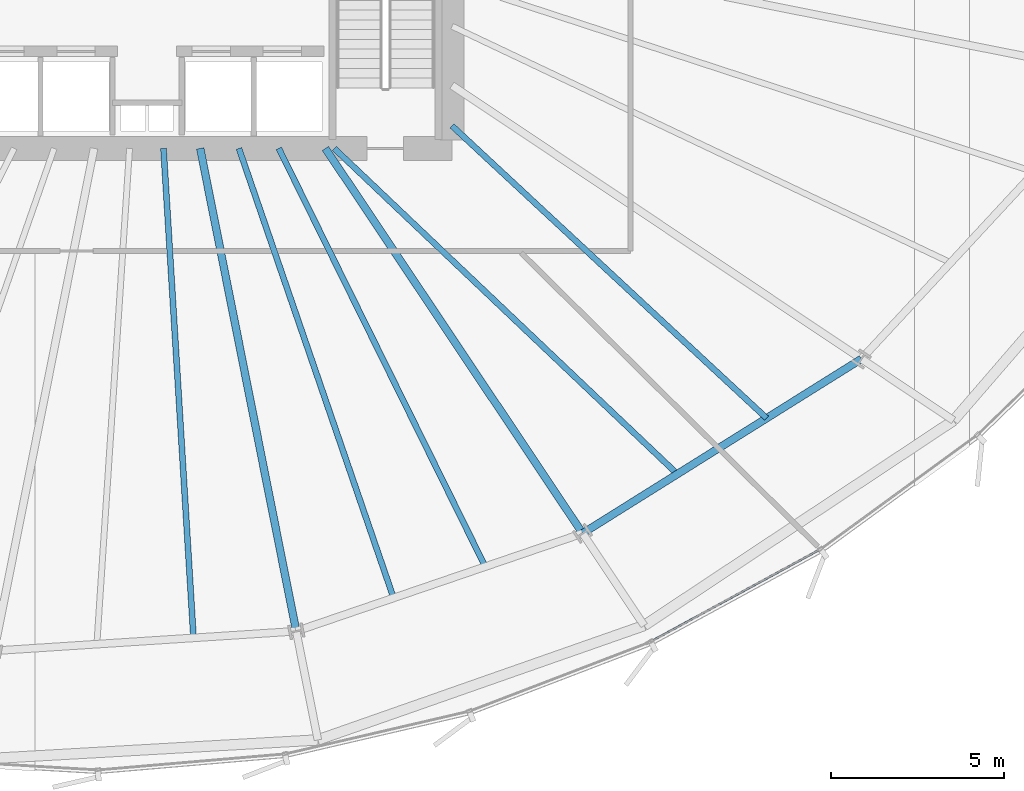
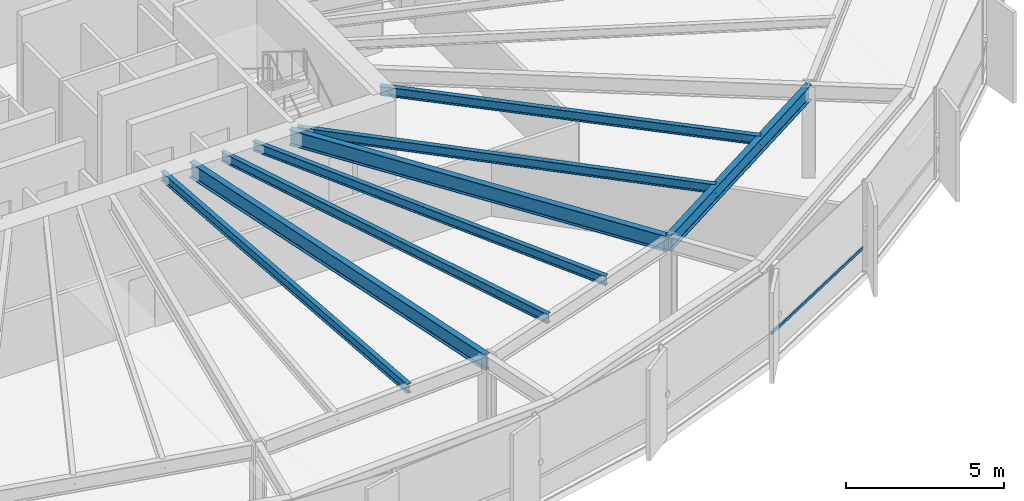
# One storey, part 11 of 38: 8 beams, 1 member, 1 element without a shape of its own.
"""IFC4 building model written with IfcOpenShell, lengths in metres."""

from ifc_helpers import new_model, si_unit, direction, frame, origin, origin_2d, place, context, subcontext, project, spatial, hollow_rectangle, i_section, extrude, source, transform, mapped, material, layer, layer_set, material_profile, profile_set, type_object, element, aggregate, save


model = new_model("IFC4")

# Units and contexts
model_context = context("Model", 3, precision=1e-05, world=origin(), true_north=direction((0.0, 1.0)))
body_context = subcontext(model_context, "Body", "Model", "MODEL_VIEW")
ifc_project = project(units=[si_unit("LENGTHUNIT", "METRE"), si_unit("AREAUNIT", "SQUARE_METRE"), si_unit("VOLUMEUNIT", "CUBIC_METRE"), si_unit("PLANEANGLEUNIT", "RADIAN"), si_unit("MASSUNIT", "GRAM", prefix="KILO"), si_unit("THERMODYNAMICTEMPERATUREUNIT", "KELVIN")], contexts=[model_context])

# Site, building, storey
site_placement = place(None, origin())
site = spatial("IfcSite", under=ifc_project, at=site_placement, CompositionType="ELEMENT")
building_placement = place(site_placement, origin())
building = spatial("IfcBuilding", under=site, at=building_placement, Name="Kethvar Cultural Tower", CompositionType="ELEMENT")
storey_placement = place(building_placement, frame((0.0, 0.0, 67.60009765625)))
storey = spatial("IfcBuildingStorey", under=building, at=storey_placement, Name="L16", CompositionType="ELEMENT", Elevation=67.60009765625)

# Beams
ifc_material_1 = material(Name="Steel S355J2", Category="steel")
ifc_material_profile_1 = material_profile(ifc_material_1, i_section(OverallWidth=0.219970703125, OverallDepth=0.60009765625, WebThickness=0.011962890625, FlangeThickness=0.01904296875, FilletRadius=0.02392578125, at=origin_2d()), Name="Steel S355J2 — IPE600")
ifc_profile_set_1 = profile_set([ifc_material_profile_1], Name="Steel S355J2 — IPE600")
beam_type_1 = type_object("IfcBeamType", Name="BM-IPE600", PredefinedType="BEAM", material=ifc_profile_set_1)
shared_shape_1 = source(origin(), body_context, "Body", "SweptSolid", [
    extrude(i_section(OverallWidth=0.219970703125, OverallDepth=0.60009765625, WebThickness=0.011962890625, FlangeThickness=0.01904296875, FilletRadius=0.02392578125, at=origin_2d()), origin(), (0.0, 0.0, 1.0), 14.210693359375),
])
beam_1_placement = place(storey_placement, frame((48.33154296875, 20.10009765625, 3.247802734375), z_axis=(0.195098432651, -0.980783667063, 0.0), x_axis=(0.980783667063, 0.195098432651, 0.0)))
element("IfcBeam", 1, at=beam_1_placement, inside=storey, type_object=beam_type_1, Name="L16 Primary Radial Beam RB-13", PredefinedType="BEAM", context=body_context, shape_type="MappedRepresentation", body=[
    mapped(shared_shape_1, transform((0.0, 0.0, 0.0), scale=1.0)),
])
shared_shape_2 = source(origin(), body_context, "Body", "SweptSolid", [
    extrude(i_section(OverallWidth=0.219970703125, OverallDepth=0.60009765625, WebThickness=0.011962890625, FlangeThickness=0.01904296875, FilletRadius=0.02392578125, at=origin_2d()), origin(), (0.0, 0.0, 1.0), 13.365478515625),
])
beam_2_placement = place(storey_placement, frame((51.945068359375, 20.10009765625, 3.247802734375), z_axis=(0.555559834465, -0.831476560301, 0.0), x_axis=(0.831476560301, 0.555559834465, 0.0)))
element("IfcBeam", 2, at=beam_2_placement, inside=storey, type_object=beam_type_1, Name="L16 Primary Radial Beam RB-14", PredefinedType="BEAM", context=body_context, shape_type="MappedRepresentation", body=[
    mapped(shared_shape_2, transform((0.0, 0.0, 0.0), scale=1.0)),
])
ifc_material_profile_2 = material_profile(ifc_material_1, i_section(OverallWidth=0.169921875, OverallDepth=0.360107421875, WebThickness=0.008056640625, FlangeThickness=0.0126953125, FilletRadius=0.01806640625, at=origin_2d()), Name="Steel S355J2 — IPE360")
ifc_profile_set_2 = profile_set([ifc_material_profile_2], Name="Steel S355J2 — IPE360")
beam_type_2 = type_object("IfcBeamType", Name="BM-J360", PredefinedType="JOIST", material=ifc_profile_set_2)
shared_shape_3 = source(origin(), body_context, "Body", "SweptSolid", [
    extrude(i_section(OverallWidth=0.169921875, OverallDepth=0.360107421875, WebThickness=0.008056640625, FlangeThickness=0.0126953125, FilletRadius=0.01806640625, at=origin_2d()), origin(), (0.0, 0.0, 1.0), 14.156494140625),
])
beam_3_placement = place(storey_placement, frame((47.272216796875, 20.10009765625, 3.367919921875), z_axis=(0.06122296991, -0.998124114505, 0.0), x_axis=(0.998124114505, 0.06122296991, 0.0)))
element("IfcBeam", 3, at=beam_3_placement, inside=storey, type_object=beam_type_2, Name="L16 Composite Floor Joist J-12B", PredefinedType="JOIST", context=body_context, shape_type="MappedRepresentation", body=[
    mapped(shared_shape_3, transform((0.0, 0.0, 0.0), scale=1.0)),
])
shared_shape_4 = source(origin(), body_context, "Body", "SweptSolid", [
    extrude(i_section(OverallWidth=0.169921875, OverallDepth=0.360107421875, WebThickness=0.008056640625, FlangeThickness=0.0126953125, FilletRadius=0.01806640625, at=origin_2d()), origin(), (0.0, 0.0, 1.0), 13.7236328125),
])
beam_4_placement = place(storey_placement, frame((49.449462890625, 20.10009765625, 3.367919921875), z_axis=(0.325355191569, -0.945591877778, 0.0), x_axis=(0.945591877778, 0.325355191569, 0.0)))
element("IfcBeam", 4, at=beam_4_placement, inside=storey, type_object=beam_type_2, Name="L16 Composite Floor Joist J-13A", PredefinedType="JOIST", context=body_context, shape_type="MappedRepresentation", body=[
    mapped(shared_shape_4, transform((0.0, 0.0, 0.0), scale=1.0)),
])
shared_shape_5 = source(origin(), body_context, "Body", "SweptSolid", [
    extrude(i_section(OverallWidth=0.169921875, OverallDepth=0.360107421875, WebThickness=0.008056640625, FlangeThickness=0.0126953125, FilletRadius=0.01806640625, at=origin_2d()), origin(), (0.0, 0.0, 1.0), 13.4638671875),
])
beam_5_placement = place(storey_placement, frame((50.6005859375, 20.10009765625, 3.367919921875), z_axis=(0.442609148219, -0.89671463795, 0.0), x_axis=(0.89671463795, 0.442609148219, 0.0)))
element("IfcBeam", 5, at=beam_5_placement, inside=storey, type_object=beam_type_2, Name="L16 Composite Floor Joist J-13B", PredefinedType="JOIST", context=body_context, shape_type="MappedRepresentation", body=[
    mapped(shared_shape_5, transform((0.0, 0.0, 0.0), scale=1.0)),
])
shared_shape_6 = source(origin(), body_context, "Body", "SweptSolid", [
    extrude(i_section(OverallWidth=0.219970703125, OverallDepth=0.60009765625, WebThickness=0.011962890625, FlangeThickness=0.01904296875, FilletRadius=0.02392578125, at=origin_2d()), origin(), (0.0, 0.0, 1.0), 9.493896484375),
])
beam_6_placement = place(storey_placement, frame((59.370361328125, 8.987060546875, 3.247802734375), z_axis=(0.847710685997, 0.530458851228, 0.0), x_axis=(-0.530458851228, 0.847710685997, 0.0)))
element("IfcBeam", 6, at=beam_6_placement, inside=storey, type_object=beam_type_1, Name="L16 Column Ring Tie Beam CR-14", PredefinedType="BEAM", context=body_context, shape_type="MappedRepresentation", body=[
    mapped(shared_shape_6, transform((0.0, 0.0, 0.0), scale=1.0)),
])
shared_shape_7 = source(origin(), body_context, "Body", "SweptSolid", [
    extrude(i_section(OverallWidth=0.169921875, OverallDepth=0.360107421875, WebThickness=0.008056640625, FlangeThickness=0.0126953125, FilletRadius=0.01806640625, at=origin_2d()), origin(), (0.0, 0.0, 1.0), 13.656982421875),
])
beam_7_placement = place(storey_placement, frame((52.199951171875, 20.10009765625, 3.367919921875), z_axis=(0.725392974221, -0.688334971472, 0.0), x_axis=(0.688334971472, 0.725392974221, 0.0)))
element("IfcBeam", 7, at=beam_7_placement, inside=storey, type_object=beam_type_2, Name="L16 Composite Floor Joist J-14A", PredefinedType="JOIST", context=body_context, shape_type="MappedRepresentation", body=[
    mapped(shared_shape_7, transform((0.0, 0.0, 0.0), scale=1.0)),
])
shared_shape_8 = source(origin(), body_context, "Body", "SweptSolid", [
    extrude(i_section(OverallWidth=0.169921875, OverallDepth=0.360107421875, WebThickness=0.008056640625, FlangeThickness=0.0126953125, FilletRadius=0.01806640625, at=origin_2d()), origin(), (0.0, 0.0, 1.0), 12.3974609375),
])
beam_8_placement = place(storey_placement, frame((55.60009765625, 20.75, 3.367919921875), z_axis=(0.732566203092, -0.68069578968, 0.0), x_axis=(0.68069578968, 0.732566203092, 0.0)))
element("IfcBeam", 8, at=beam_8_placement, inside=storey, type_object=beam_type_2, Name="L16 Composite Floor Joist J-14B", PredefinedType="JOIST", context=body_context, shape_type="MappedRepresentation", body=[
    mapped(shared_shape_8, transform((0.0, 0.0, 0.0), scale=1.0)),
])

# Curtain wall, member
ifc_material_2 = material(Name="Aluminium 6063-T6", Category="aluminium")
ifc_layer = layer(ifc_material_2, 0.179931640625, Name="Aluminium 6063-T6", Category="aluminium")
ifc_layer_set = layer_set([ifc_layer], Name="Aluminium 6063-T6 (180 mm)")
curtain_wall_type = type_object("IfcCurtainWallType", Name="CW-SYS-02-Z1", PredefinedType="NOTDEFINED", material=ifc_layer_set)
curtain_wall_placement = place(storey_placement, origin())
curtain_wall = element("IfcCurtainWall", 9, at=curtain_wall_placement, inside=storey, type_object=curtain_wall_type, Name="L16 Curtain Wall Run 06", PredefinedType="NOTDEFINED")
ifc_material_profile_3 = material_profile(ifc_material_2, hollow_rectangle(XDim=0.054931640625, YDim=0.1201171875, WallThickness=0.00390625, at=origin_2d()), Name="Aluminium 6063-T6 — RHS120x55x4")
ifc_profile_set_3 = profile_set([ifc_material_profile_3], Name="Aluminium 6063-T6 — RHS120x55x4")
member_type = type_object("IfcMemberType", Name="CW-SYS-02-Z1-TRN", PredefinedType="USERDEFINED", material=ifc_profile_set_3)
shared_shape_9 = source(origin(), body_context, "Body", "SweptSolid", [
    extrude(hollow_rectangle(XDim=0.054931640625, YDim=0.1201171875, WallThickness=0.00390625, at=origin_2d()), origin(), (0.0, 0.0, 1.0), 5.54638671875),
])
member_placement = place(storey_placement, frame((61.339599609375, 5.865478515625, 0.949951171875), z_axis=(0.878433333686, 0.477864916341, 0.0), x_axis=(-0.477864916341, 0.878433333686, 0.0)))
member = element("IfcMember", 10, at=member_placement, type_object=member_type, Name="CW-L16-R06 Transom 1", ObjectType="TRANSOM", PredefinedType="USERDEFINED", context=body_context, shape_type="MappedRepresentation", body=[
    mapped(shared_shape_9, transform((0.0, 0.0, 0.0), scale=1.0)),
])
aggregate(curtain_wall, [member])

save(model, "model.ifc")
